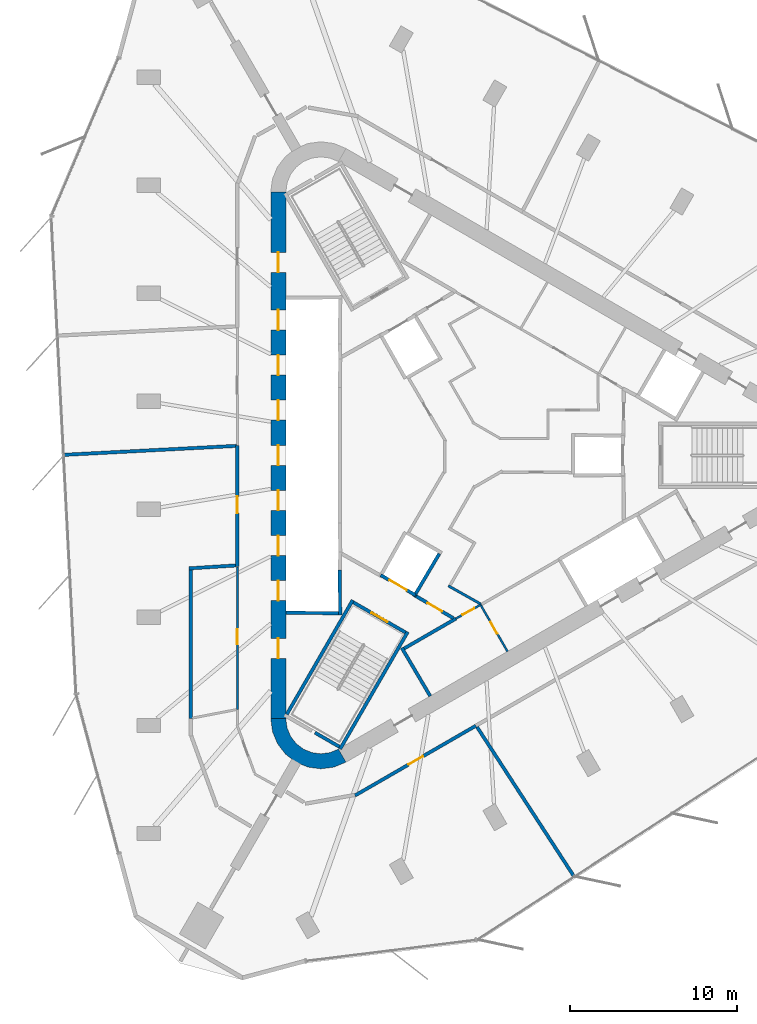
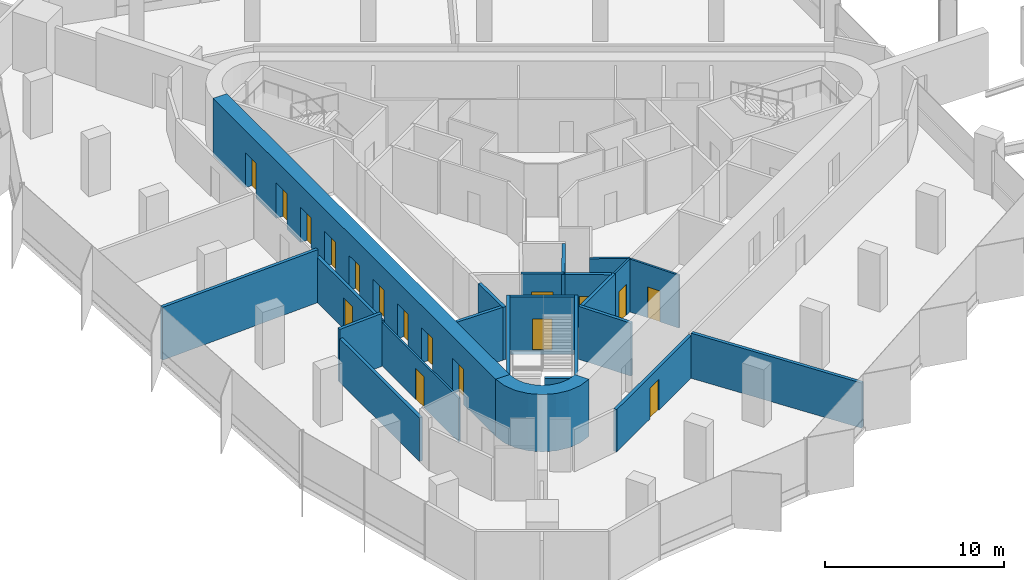
# One storey, part 7 of 12: 23 walls, 17 doors, 17 openings.
"""IFC4 building model written with IfcOpenShell, lengths in metres."""

from ifc_helpers import new_model, si_unit, direction, frame, frame_2d, origin, place, context, subcontext, project, spatial, polyline, rectangle, outline, extrude, material, layer, layer_set, type_object, element, fill, save


model = new_model("IFC4")

# Units and contexts
model_context = context("Model", 3, precision=1e-05, world=origin(), true_north=direction((0.0, 1.0)))
body_context = subcontext(model_context, "Body", "Model", "MODEL_VIEW")
ifc_project = project(units=[si_unit("LENGTHUNIT", "METRE"), si_unit("AREAUNIT", "SQUARE_METRE"), si_unit("VOLUMEUNIT", "CUBIC_METRE"), si_unit("PLANEANGLEUNIT", "RADIAN"), si_unit("MASSUNIT", "GRAM", prefix="KILO")], contexts=[model_context])

# Site, building, storey
site_placement = place(None, origin())
site = spatial("IfcSite", under=ifc_project, at=site_placement, CompositionType="ELEMENT")
building_placement = place(site_placement, origin())
building = spatial("IfcBuilding", under=site, at=building_placement, Name="Tanit Gate Tower", CompositionType="ELEMENT")
storey_placement = place(building_placement, frame((0.0, 0.0, 365.0)))
storey = spatial("IfcBuildingStorey", under=building, at=storey_placement, Name="L83", CompositionType="ELEMENT", Elevation=365.0)

# Wall, openings, doors
ifc_material_1 = material(Name="Concrete C40/50", Category="concrete")
ifc_layer_1 = layer(ifc_material_1, 0.89990234375)
ifc_layer_set_1 = layer_set([ifc_layer_1], Name="CORE WALL 900 C40/50")
wall_type_1 = type_object("IfcWallType", Name="CORE WALL 900 C40/50", PredefinedType="SHEAR", material=ifc_layer_set_1)
wall_1_placement = place(storey_placement, frame((-11.64990234375, 15.76171875, 0.0), z_axis=(0.0, 0.0, 1.0), x_axis=(0.0, -1.0, 0.0)))
wall_1 = element("IfcWall", 1, at=wall_1_placement, inside=storey, type_object=wall_type_1, Name="CORE WALL", PredefinedType="SHEAR", context=body_context, shape_type="SweptSolid", body=[
    extrude(rectangle(XDim=31.5234375, YDim=0.89990234375, at=frame_2d((15.76171875, 0.0))), origin(), (0.0, 0.0, 1.0), 3.89990234375),
])
opening_1_placement = place(wall_1_placement, frame((7.061767578125, 0.0, 0.0)))
opening_1 = element("IfcOpeningElement", 2, at=opening_1_placement, cuts=wall_1, Name="Opening LDHL1-83", PredefinedType="OPENING", context=body_context, shape_type="SweptSolid", body=[
    extrude(rectangle(XDim=1.199951171875, YDim=2.39990234375, at=frame_2d((0.60009765625, 1.199951171875))), frame((0.0, 0.4599609375, 0.0), z_axis=(0.0, -1.0, 0.0), x_axis=(1.0, 0.0, 0.0)), (0.0, 0.0, 1.0), 0.919921875),
])
opening_2_placement = place(wall_1_placement, frame((9.76171875, 0.0, 0.0)))
opening_2 = element("IfcOpeningElement", 3, at=opening_2_placement, cuts=wall_1, Name="Opening LDHL2-83", PredefinedType="OPENING", context=body_context, shape_type="SweptSolid", body=[
    extrude(rectangle(XDim=1.199951171875, YDim=2.39990234375, at=frame_2d((0.60009765625, 1.199951171875))), frame((0.0, 0.4599609375, 0.0), z_axis=(0.0, -1.0, 0.0), x_axis=(1.0, 0.0, 0.0)), (0.0, 0.0, 1.0), 0.919921875),
])
opening_3_placement = place(wall_1_placement, frame((12.461669921875, 0.0, 0.0)))
opening_3 = element("IfcOpeningElement", 4, at=opening_3_placement, cuts=wall_1, Name="Opening LDHL3-83", PredefinedType="OPENING", context=body_context, shape_type="SweptSolid", body=[
    extrude(rectangle(XDim=1.199951171875, YDim=2.39990234375, at=frame_2d((0.60009765625, 1.199951171875))), frame((0.0, 0.4599609375, 0.0), z_axis=(0.0, -1.0, 0.0), x_axis=(1.0, 0.0, 0.0)), (0.0, 0.0, 1.0), 0.919921875),
])
opening_4_placement = place(wall_1_placement, frame((15.16162109375, 0.0, 0.0)))
opening_4 = element("IfcOpeningElement", 5, at=opening_4_placement, cuts=wall_1, Name="Opening LDHL4-83", PredefinedType="OPENING", context=body_context, shape_type="SweptSolid", body=[
    extrude(rectangle(XDim=1.199951171875, YDim=2.39990234375, at=frame_2d((0.60009765625, 1.199951171875))), frame((0.0, 0.4599609375, 0.0), z_axis=(0.0, -1.0, 0.0), x_axis=(1.0, 0.0, 0.0)), (0.0, 0.0, 1.0), 0.919921875),
])
opening_5_placement = place(wall_1_placement, frame((17.86181640625, 0.0, 0.0)))
opening_5 = element("IfcOpeningElement", 6, at=opening_5_placement, cuts=wall_1, Name="Opening LDHL5-83", PredefinedType="OPENING", context=body_context, shape_type="SweptSolid", body=[
    extrude(rectangle(XDim=1.199951171875, YDim=2.39990234375, at=frame_2d((0.60009765625, 1.199951171875))), frame((0.0, 0.4599609375, 0.0), z_axis=(0.0, -1.0, 0.0), x_axis=(1.0, 0.0, 0.0)), (0.0, 0.0, 1.0), 0.919921875),
])
opening_6_placement = place(wall_1_placement, frame((20.561767578125, 0.0, 0.0)))
opening_6 = element("IfcOpeningElement", 7, at=opening_6_placement, cuts=wall_1, Name="Opening LDHL6-83", PredefinedType="OPENING", context=body_context, shape_type="SweptSolid", body=[
    extrude(rectangle(XDim=1.199951171875, YDim=2.39990234375, at=frame_2d((0.60009765625, 1.199951171875))), frame((0.0, 0.4599609375, 0.0), z_axis=(0.0, -1.0, 0.0), x_axis=(1.0, 0.0, 0.0)), (0.0, 0.0, 1.0), 0.919921875),
])
opening_7_placement = place(wall_1_placement, frame((23.26171875, 0.0, 0.0)))
opening_7 = element("IfcOpeningElement", 8, at=opening_7_placement, cuts=wall_1, Name="Opening LDHL7-83", PredefinedType="OPENING", context=body_context, shape_type="SweptSolid", body=[
    extrude(rectangle(XDim=1.199951171875, YDim=2.39990234375, at=frame_2d((0.60009765625, 1.199951171875))), frame((0.0, 0.4599609375, 0.0), z_axis=(0.0, -1.0, 0.0), x_axis=(1.0, 0.0, 0.0)), (0.0, 0.0, 1.0), 0.919921875),
])
opening_8_placement = place(wall_1_placement, frame((3.61181640625, 0.0, 0.0)))
opening_8 = element("IfcOpeningElement", 9, at=opening_8_placement, cuts=wall_1, Name="Opening F12-83-FL2", PredefinedType="OPENING", context=body_context, shape_type="SweptSolid", body=[
    extrude(rectangle(XDim=1.199951171875, YDim=2.39990234375, at=frame_2d((0.60009765625, 1.199951171875))), frame((0.0, 0.4599609375, 0.0), z_axis=(0.0, -1.0, 0.0), x_axis=(1.0, 0.0, 0.0)), (0.0, 0.0, 1.0), 0.919921875),
])
opening_9_placement = place(wall_1_placement, frame((26.711669921875, 0.0, 0.0)))
opening_9 = element("IfcOpeningElement", 10, at=opening_9_placement, cuts=wall_1, Name="Opening F12-83-S3", PredefinedType="OPENING", context=body_context, shape_type="SweptSolid", body=[
    extrude(rectangle(XDim=1.199951171875, YDim=2.39990234375, at=frame_2d((0.60009765625, 1.199951171875))), frame((0.0, 0.4599609375, 0.0), z_axis=(0.0, -1.0, 0.0), x_axis=(1.0, 0.0, 0.0)), (0.0, 0.0, 1.0), 0.919921875),
])
ifc_material_2 = material(Name="Fire-rated steel door leaf", Category="steel")
door_type_1 = type_object("IfcDoorType", Name="INT-DOOR-FIRE-LOBBY-1200", OperationType="NOTDEFINED", PredefinedType="USERDEFINED", material=ifc_material_2)
door_1_placement = place(opening_8_placement, origin())
door_1 = element("IfcDoor", 11, at=door_1_placement, inside=storey, type_object=door_type_1, Name="Door F12-83-FL2", ObjectType="FIRE DOOR", OperationType="SINGLE_SWING_RIGHT", OverallHeight=2.39990234375, OverallWidth=1.199951171875, PredefinedType="USERDEFINED", context=body_context, shape_type="SweptSolid", body=[
    extrude(rectangle(XDim=1.199951171875, YDim=2.39990234375, at=frame_2d((0.60009765625, 1.199951171875))), frame((0.0, 0.02490234375, 0.0), z_axis=(0.0, -1.0, 0.0), x_axis=(1.0, 0.0, 0.0)), (0.0, 0.0, 1.0), 0.050048828125),
])
fill(opening_8, door_1)
door_2_placement = place(opening_9_placement, origin())
door_2 = element("IfcDoor", 12, at=door_2_placement, inside=storey, type_object=door_type_1, Name="Door F12-83-S3", ObjectType="FIRE DOOR", OperationType="SINGLE_SWING_LEFT", OverallHeight=2.39990234375, OverallWidth=1.199951171875, PredefinedType="USERDEFINED", context=body_context, shape_type="SweptSolid", body=[
    extrude(rectangle(XDim=1.199951171875, YDim=2.39990234375, at=frame_2d((0.60009765625, 1.199951171875))), frame((0.0, 0.02490234375, 0.0), z_axis=(0.0, -1.0, 0.0), x_axis=(1.0, 0.0, 0.0)), (0.0, 0.0, 1.0), 0.050048828125),
])
fill(opening_9, door_2)
ifc_material_3 = material(Name="Stainless steel sliding door leaf", Category="steel")
door_type_2 = type_object("IfcDoorType", Name="INT-DOOR-LANDING-1200", OperationType="NOTDEFINED", PredefinedType="USERDEFINED", material=ifc_material_3)
door_3_placement = place(opening_1_placement, origin())
door_3 = element("IfcDoor", 13, at=door_3_placement, inside=storey, type_object=door_type_2, Name="Door LDHL1-83", ObjectType="LANDING DOOR", OperationType="SLIDING_TO_LEFT", OverallHeight=2.39990234375, OverallWidth=1.199951171875, PredefinedType="USERDEFINED", context=body_context, shape_type="SweptSolid", body=[
    extrude(rectangle(XDim=1.199951171875, YDim=2.39990234375, at=frame_2d((0.60009765625, 1.199951171875))), frame((0.0, 0.02490234375, 0.0), z_axis=(0.0, -1.0, 0.0), x_axis=(1.0, 0.0, 0.0)), (0.0, 0.0, 1.0), 0.050048828125),
])
fill(opening_1, door_3)
door_4_placement = place(opening_2_placement, origin())
door_4 = element("IfcDoor", 14, at=door_4_placement, inside=storey, type_object=door_type_2, Name="Door LDHL2-83", ObjectType="LANDING DOOR", OperationType="SLIDING_TO_LEFT", OverallHeight=2.39990234375, OverallWidth=1.199951171875, PredefinedType="USERDEFINED", context=body_context, shape_type="SweptSolid", body=[
    extrude(rectangle(XDim=1.199951171875, YDim=2.39990234375, at=frame_2d((0.60009765625, 1.199951171875))), frame((0.0, 0.02490234375, 0.0), z_axis=(0.0, -1.0, 0.0), x_axis=(1.0, 0.0, 0.0)), (0.0, 0.0, 1.0), 0.050048828125),
])
fill(opening_2, door_4)
door_5_placement = place(opening_3_placement, origin())
door_5 = element("IfcDoor", 15, at=door_5_placement, inside=storey, type_object=door_type_2, Name="Door LDHL3-83", ObjectType="LANDING DOOR", OperationType="SLIDING_TO_LEFT", OverallHeight=2.39990234375, OverallWidth=1.199951171875, PredefinedType="USERDEFINED", context=body_context, shape_type="SweptSolid", body=[
    extrude(rectangle(XDim=1.199951171875, YDim=2.39990234375, at=frame_2d((0.60009765625, 1.199951171875))), frame((0.0, 0.02490234375, 0.0), z_axis=(0.0, -1.0, 0.0), x_axis=(1.0, 0.0, 0.0)), (0.0, 0.0, 1.0), 0.050048828125),
])
fill(opening_3, door_5)
door_6_placement = place(opening_4_placement, origin())
door_6 = element("IfcDoor", 16, at=door_6_placement, inside=storey, type_object=door_type_2, Name="Door LDHL4-83", ObjectType="LANDING DOOR", OperationType="SLIDING_TO_LEFT", OverallHeight=2.39990234375, OverallWidth=1.199951171875, PredefinedType="USERDEFINED", context=body_context, shape_type="SweptSolid", body=[
    extrude(rectangle(XDim=1.199951171875, YDim=2.39990234375, at=frame_2d((0.60009765625, 1.199951171875))), frame((0.0, 0.02490234375, 0.0), z_axis=(0.0, -1.0, 0.0), x_axis=(1.0, 0.0, 0.0)), (0.0, 0.0, 1.0), 0.050048828125),
])
fill(opening_4, door_6)
door_7_placement = place(opening_5_placement, origin())
door_7 = element("IfcDoor", 17, at=door_7_placement, inside=storey, type_object=door_type_2, Name="Door LDHL5-83", ObjectType="LANDING DOOR", OperationType="SLIDING_TO_LEFT", OverallHeight=2.39990234375, OverallWidth=1.199951171875, PredefinedType="USERDEFINED", context=body_context, shape_type="SweptSolid", body=[
    extrude(rectangle(XDim=1.199951171875, YDim=2.39990234375, at=frame_2d((0.60009765625, 1.199951171875))), frame((0.0, 0.02490234375, 0.0), z_axis=(0.0, -1.0, 0.0), x_axis=(1.0, 0.0, 0.0)), (0.0, 0.0, 1.0), 0.050048828125),
])
fill(opening_5, door_7)
door_8_placement = place(opening_6_placement, origin())
door_8 = element("IfcDoor", 18, at=door_8_placement, inside=storey, type_object=door_type_2, Name="Door LDHL6-83", ObjectType="LANDING DOOR", OperationType="SLIDING_TO_LEFT", OverallHeight=2.39990234375, OverallWidth=1.199951171875, PredefinedType="USERDEFINED", context=body_context, shape_type="SweptSolid", body=[
    extrude(rectangle(XDim=1.199951171875, YDim=2.39990234375, at=frame_2d((0.60009765625, 1.199951171875))), frame((0.0, 0.02490234375, 0.0), z_axis=(0.0, -1.0, 0.0), x_axis=(1.0, 0.0, 0.0)), (0.0, 0.0, 1.0), 0.050048828125),
])
fill(opening_6, door_8)
door_9_placement = place(opening_7_placement, origin())
door_9 = element("IfcDoor", 19, at=door_9_placement, inside=storey, type_object=door_type_2, Name="Door LDHL7-83", ObjectType="LANDING DOOR", OperationType="SLIDING_TO_LEFT", OverallHeight=2.39990234375, OverallWidth=1.199951171875, PredefinedType="USERDEFINED", context=body_context, shape_type="SweptSolid", body=[
    extrude(rectangle(XDim=1.199951171875, YDim=2.39990234375, at=frame_2d((0.60009765625, 1.199951171875))), frame((0.0, 0.02490234375, 0.0), z_axis=(0.0, -1.0, 0.0), x_axis=(1.0, 0.0, 0.0)), (0.0, 0.0, 1.0), 0.050048828125),
])
fill(opening_7, door_9)

# Walls
wall_2_placement = place(storey_placement, origin())
element("IfcWall", 20, at=wall_2_placement, inside=storey, type_object=wall_type_1, Name="CORE WALL CORNER", PredefinedType="SHEAR", context=body_context, shape_type="SweptSolid", body=[
    extrude(outline(polyline([(-12.10009765625, -15.76171875), (-11.997802734375, -16.5380859375), (-11.697998046875, -17.26171875), (-11.22119140625, -17.883056640625), (-10.60009765625, -18.359619140625), (-9.87646484375, -18.659423828125), (-9.10009765625, -18.76171875), (-8.323486328125, -18.659423828125), (-7.60009765625, -18.359619140625), (-8.050048828125, -17.580322265625), (-8.556396484375, -17.7900390625), (-9.10009765625, -17.86181640625), (-9.6435546875, -17.7900390625), (-10.14990234375, -17.580322265625), (-10.5849609375, -17.24658203125), (-10.918701171875, -16.811767578125), (-11.12841796875, -16.30517578125), (-11.199951171875, -15.76171875), (-12.10009765625, -15.76171875)])), origin(), (0.0, 0.0, 1.0), 3.89990234375),
])
ifc_material_4 = material(Name="Fire-rated gypsum board partition")
ifc_layer_2 = layer(ifc_material_4, 0.199951171875)
ifc_layer_set_2 = layer_set([ifc_layer_2], Name="INT-WALL-COMPARTMENT")
wall_type_2 = type_object("IfcWallType", Name="INT-WALL-COMPARTMENT", PredefinedType="PARTITIONING", material=ifc_layer_set_2)
wall_3_placement = place(storey_placement, frame((-4.259765625, -11.523681640625, 0.0), z_axis=(0.0, 0.0, 1.0), x_axis=(0.507997497166, -0.861358544901, 0.0)))
element("IfcWall", 21, at=wall_3_placement, inside=storey, type_object=wall_type_2, Name="Wall Compartment W057", PredefinedType="PARTITIONING", context=body_context, shape_type="SweptSolid", body=[
    extrude(rectangle(XDim=3.350341796875, YDim=0.199951171875, at=frame_2d((1.67529296875, 0.0))), origin(), (0.0, 0.0, 1.0), 3.60009765625),
])
wall_4_placement = place(storey_placement, frame((-1.02392578125, -9.77099609375, 0.0), z_axis=(0.0, 0.0, 1.0), x_axis=(-0.866029903013, -0.499992207027, 0.0)))
element("IfcWall", 22, at=wall_4_placement, inside=storey, type_object=wall_type_2, Name="Wall Compartment W058", PredefinedType="PARTITIONING", context=body_context, shape_type="SweptSolid", body=[
    extrude(rectangle(XDim=3.57763671875, YDim=0.199951171875, at=frame_2d((1.788818359375, 0.0))), origin(), (0.0, 0.0, 1.0), 3.60009765625),
])

# Wall, opening, door
wall_5_placement = place(storey_placement, frame((-3.400634765625, -8.43017578125, 0.0), z_axis=(0.0, 0.0, 1.0), x_axis=(0.860630814782, -0.509229418482, 0.0)))
wall_5 = element("IfcWall", 23, at=wall_5_placement, inside=storey, type_object=wall_type_2, Name="Wall Compartment W068", PredefinedType="PARTITIONING", context=body_context, shape_type="SweptSolid", body=[
    extrude(rectangle(XDim=2.581787109375, YDim=0.199951171875, at=frame_2d((1.291015625, 0.0))), origin(), (0.0, 0.0, 1.0), 3.60009765625),
])
opening_10_placement = place(wall_5_placement, frame((0.791015625, 0.0, 0.0)))
opening_10 = element("IfcOpeningElement", 24, at=opening_10_placement, cuts=wall_5, Name="Opening F10-83-08", PredefinedType="OPENING", context=body_context, shape_type="SweptSolid", body=[
    extrude(rectangle(XDim=1.0, YDim=2.10009765625, at=frame_2d((0.5, 1.050048828125))), frame((0.0, 0.10986328125, 0.0), z_axis=(0.0, -1.0, 0.0), x_axis=(1.0, 0.0, 0.0)), (0.0, 0.0, 1.0), 0.219970703125),
])
ifc_material_5 = material(Name="Fire-rated steel door leaf", Category="steel")
door_type_3 = type_object("IfcDoorType", Name="INT-DOOR-FIRE-1000", OperationType="NOTDEFINED", PredefinedType="USERDEFINED", material=ifc_material_5)
door_10_placement = place(opening_10_placement, origin())
door_10 = element("IfcDoor", 25, at=door_10_placement, inside=storey, type_object=door_type_3, Name="Door F10-83-08", ObjectType="FIRE DOOR", OperationType="SINGLE_SWING_RIGHT", OverallHeight=2.10009765625, OverallWidth=1.0, PredefinedType="USERDEFINED", context=body_context, shape_type="SweptSolid", body=[
    extrude(rectangle(XDim=1.0, YDim=2.10009765625, at=frame_2d((0.5, 1.050048828125))), frame((0.0, 0.02490234375, 0.0), z_axis=(0.0, -1.0, 0.0), x_axis=(1.0, 0.0, 0.0)), (0.0, 0.0, 1.0), 0.050048828125),
])
fill(opening_10, door_10)

wall_6_placement = place(storey_placement, frame((-14.10009765625, 0.5908203125, 0.0), z_axis=(0.0, 0.0, 1.0), x_axis=(0.0, -1.0, 0.0)))
wall_6 = element("IfcWall", 26, at=wall_6_placement, inside=storey, type_object=wall_type_2, Name="Wall Compartment W091", PredefinedType="PARTITIONING", context=body_context, shape_type="SweptSolid", body=[
    extrude(rectangle(XDim=7.235107421875, YDim=0.199951171875, at=frame_2d((3.61767578125, 0.0))), origin(), (0.0, 0.0, 1.0), 3.070068359375),
])
opening_11_placement = place(wall_6_placement, frame((3.05419921875, 0.0, 0.0)))
opening_11 = element("IfcOpeningElement", 27, at=opening_11_placement, cuts=wall_6, Name="Opening F10-83-21", PredefinedType="OPENING", context=body_context, shape_type="SweptSolid", body=[
    extrude(rectangle(XDim=1.0, YDim=2.10009765625, at=frame_2d((0.5, 1.050048828125))), frame((0.0, 0.10986328125, 0.0), z_axis=(0.0, -1.0, 0.0), x_axis=(1.0, 0.0, 0.0)), (0.0, 0.0, 1.0), 0.219970703125),
])
door_11_placement = place(opening_11_placement, origin())
door_11 = element("IfcDoor", 28, at=door_11_placement, inside=storey, type_object=door_type_3, Name="Door F10-83-21", ObjectType="FIRE DOOR", OperationType="SINGLE_SWING_RIGHT", OverallHeight=2.10009765625, OverallWidth=1.0, PredefinedType="USERDEFINED", context=body_context, shape_type="SweptSolid", body=[
    extrude(rectangle(XDim=1.0, YDim=2.10009765625, at=frame_2d((0.5, 1.050048828125))), frame((0.0, 0.02490234375, 0.0), z_axis=(0.0, -1.0, 0.0), x_axis=(1.0, 0.0, 0.0)), (0.0, 0.0, 1.0), 0.050048828125),
])
fill(opening_11, door_11)

# Walls
wall_7_placement = place(storey_placement, frame((-14.159912109375, 0.56494140625, 0.0), z_axis=(0.0, 0.0, 1.0), x_axis=(-0.998655139757, -0.051845075341, 0.0)))
element("IfcWall", 29, at=wall_7_placement, inside=storey, type_object=wall_type_2, Name="Wall Compartment W099", PredefinedType="PARTITIONING", context=body_context, shape_type="SweptSolid", body=[
    extrude(rectangle(XDim=10.341064453125, YDim=0.199951171875, at=frame_2d((5.17041015625, 0.0))), origin(), (0.0, 0.0, 1.0), 3.60009765625),
])
wall_8_placement = place(storey_placement, frame((-14.199951171875, -6.590576171875, 0.0), z_axis=(0.0, 0.0, 1.0), x_axis=(-0.99804272427, -0.062535754024, 0.0)))
element("IfcWall", 30, at=wall_8_placement, inside=storey, type_object=wall_type_2, Name="Wall Compartment W100", PredefinedType="PARTITIONING", context=body_context, shape_type="SweptSolid", body=[
    extrude(rectangle(XDim=2.799072265625, YDim=0.199951171875, at=frame_2d((1.3994140625, 0.0))), origin(), (0.0, 0.0, 1.0), 3.60009765625),
])
wall_9_placement = place(storey_placement, frame((-16.89990234375, -15.75390625, 0.0), z_axis=(0.0, 0.0, 1.0), x_axis=(0.0, 1.0, 0.0)))
element("IfcWall", 31, at=wall_9_placement, inside=storey, type_object=wall_type_2, Name="Wall Compartment W101", PredefinedType="PARTITIONING", context=body_context, shape_type="SweptSolid", body=[
    extrude(rectangle(XDim=8.89404296875, YDim=0.199951171875, at=frame_2d((4.447021484375, 0.0))), origin(), (0.0, 0.0, 1.0), 2.969970703125),
])

# Wall, opening, door
wall_10_placement = place(storey_placement, frame((-7.060791015625, -20.35791015625, 0.0), z_axis=(0.0, 0.0, 1.0), x_axis=(0.866022416349, 0.500005174355, 0.0)))
wall_10 = element("IfcWall", 32, at=wall_10_placement, inside=storey, type_object=wall_type_2, Name="Wall Compartment W115", PredefinedType="PARTITIONING", context=body_context, shape_type="SweptSolid", body=[
    extrude(rectangle(XDim=8.34716796875, YDim=0.199951171875, at=frame_2d((4.173583984375, 0.0))), origin(), (0.0, 0.0, 1.0), 2.8798828125),
])
opening_12_placement = place(wall_10_placement, frame((3.699951171875, 0.0, 0.0)))
opening_12 = element("IfcOpeningElement", 33, at=opening_12_placement, cuts=wall_10, Name="Opening F10-83-26", PredefinedType="OPENING", context=body_context, shape_type="SweptSolid", body=[
    extrude(rectangle(XDim=1.0, YDim=2.10009765625, at=frame_2d((0.5, 1.050048828125))), frame((0.0, 0.10986328125, 0.0), z_axis=(0.0, -1.0, 0.0), x_axis=(1.0, 0.0, 0.0)), (0.0, 0.0, 1.0), 0.219970703125),
])
door_12_placement = place(opening_12_placement, origin())
door_12 = element("IfcDoor", 34, at=door_12_placement, inside=storey, type_object=door_type_3, Name="Door F10-83-26", ObjectType="FIRE DOOR", OperationType="SINGLE_SWING_RIGHT", OverallHeight=2.10009765625, OverallWidth=1.0, PredefinedType="USERDEFINED", context=body_context, shape_type="SweptSolid", body=[
    extrude(rectangle(XDim=1.0, YDim=2.10009765625, at=frame_2d((0.5, 1.050048828125))), frame((0.0, 0.02490234375, 0.0), z_axis=(0.0, -1.0, 0.0), x_axis=(1.0, 0.0, 0.0)), (0.0, 0.0, 1.0), 0.050048828125),
])
fill(opening_12, door_12)

# Wall
wall_11_placement = place(storey_placement, frame((0.2421875, -16.2568359375, 0.0), z_axis=(0.0, 0.0, 1.0), x_axis=(0.544245883111, -0.838925752803, 0.0)))
element("IfcWall", 35, at=wall_11_placement, inside=storey, type_object=wall_type_2, Name="Wall Compartment W121", PredefinedType="PARTITIONING", context=body_context, shape_type="SweptSolid", body=[
    extrude(rectangle(XDim=10.6826171875, YDim=0.199951171875, at=frame_2d((5.34130859375, 0.0))), origin(), (0.0, 0.0, 1.0), 3.070068359375),
])

# Wall, opening, door
ifc_material_6 = material(Name="Gypsum board partition")
ifc_layer_3 = layer(ifc_material_6, 0.1201171875)
ifc_layer_set_3 = layer_set([ifc_layer_3], Name="INT-WALL-PARTITION")
wall_type_3 = type_object("IfcWallType", Name="INT-WALL-PARTITION", PredefinedType="PARTITIONING", material=ifc_layer_set_3)
wall_12_placement = place(storey_placement, frame((2.066650390625, -11.739501953125, 0.0), z_axis=(0.0, 0.0, 1.0), x_axis=(-0.499984717929, 0.866034226713, 0.0)))
wall_12 = element("IfcWall", 36, at=wall_12_placement, inside=storey, type_object=wall_type_3, Name="Wall Partition W056", PredefinedType="PARTITIONING", context=body_context, shape_type="SweptSolid", body=[
    extrude(rectangle(XDim=3.25, YDim=0.1201171875, at=frame_2d((1.625, 0.0))), origin(), (0.0, 0.0, 1.0), 3.60009765625),
])
opening_13_placement = place(wall_12_placement, frame((1.22509765625, 0.0, 0.0)))
opening_13 = element("IfcOpeningElement", 37, at=opening_13_placement, cuts=wall_12, Name="Opening R08-83-17", PredefinedType="OPENING", context=body_context, shape_type="SweptSolid", body=[
    extrude(rectangle(XDim=0.800048828125, YDim=2.10009765625, at=frame_2d((0.39990234375, 1.050048828125))), frame((0.0, 0.070068359375, 0.0), z_axis=(0.0, -1.0, 0.0), x_axis=(1.0, 0.0, 0.0)), (0.0, 0.0, 1.0), 0.14013671875),
])
ifc_material_7 = material(Name="Timber door leaf", Category="wood")
door_type_4 = type_object("IfcDoorType", Name="INT-DOOR-RISER-800", OperationType="NOTDEFINED", PredefinedType="USERDEFINED", material=ifc_material_7)
door_13_placement = place(opening_13_placement, origin())
door_13 = element("IfcDoor", 38, at=door_13_placement, inside=storey, type_object=door_type_4, Name="Door R08-83-17", ObjectType="FIRE DOOR", OperationType="SINGLE_SWING_RIGHT", OverallHeight=2.10009765625, OverallWidth=0.800048828125, PredefinedType="USERDEFINED", context=body_context, shape_type="SweptSolid", body=[
    extrude(rectangle(XDim=0.800048828125, YDim=2.10009765625, at=frame_2d((0.39990234375, 1.050048828125))), frame((0.0, 0.02490234375, 0.0), z_axis=(0.0, -1.0, 0.0), x_axis=(1.0, 0.0, 0.0)), (0.0, 0.0, 1.0), 0.050048828125),
])
fill(opening_13, door_13)

wall_13_placement = place(storey_placement, frame((0.478271484375, -8.928466796875, 0.0), z_axis=(0.0, 0.0, 1.0), x_axis=(-0.871968924608, -0.489561226527, 0.0)))
wall_13 = element("IfcWall", 39, at=wall_13_placement, inside=storey, type_object=wall_type_3, Name="Wall Partition W059", PredefinedType="PARTITIONING", context=body_context, shape_type="SweptSolid", body=[
    extrude(rectangle(XDim=1.722412109375, YDim=0.1201171875, at=frame_2d((0.861328125, 0.0))), origin(), (0.0, 0.0, 1.0), 3.60009765625),
])
opening_14_placement = place(wall_13_placement, frame((0.461181640625, 0.0, 0.0)))
opening_14 = element("IfcOpeningElement", 40, at=opening_14_placement, cuts=wall_13, Name="Opening R08-83-16", PredefinedType="OPENING", context=body_context, shape_type="SweptSolid", body=[
    extrude(rectangle(XDim=0.800048828125, YDim=2.10009765625, at=frame_2d((0.39990234375, 1.050048828125))), frame((0.0, 0.070068359375, 0.0), z_axis=(0.0, -1.0, 0.0), x_axis=(1.0, 0.0, 0.0)), (0.0, 0.0, 1.0), 0.14013671875),
])
door_14_placement = place(opening_14_placement, origin())
door_14 = element("IfcDoor", 41, at=door_14_placement, inside=storey, type_object=door_type_4, Name="Door R08-83-16", ObjectType="FIRE DOOR", OperationType="SINGLE_SWING_RIGHT", OverallHeight=2.10009765625, OverallWidth=0.800048828125, PredefinedType="USERDEFINED", context=body_context, shape_type="SweptSolid", body=[
    extrude(rectangle(XDim=0.800048828125, YDim=2.10009765625, at=frame_2d((0.39990234375, 1.050048828125))), frame((0.0, 0.02490234375, 0.0), z_axis=(0.0, -1.0, 0.0), x_axis=(1.0, 0.0, 0.0)), (0.0, 0.0, 1.0), 0.050048828125),
])
fill(opening_14, door_14)

wall_14_placement = place(storey_placement, frame((-14.10009765625, -6.6845703125, 0.0), z_axis=(0.0, 0.0, 1.0), x_axis=(0.0, -1.0, 0.0)))
wall_14 = element("IfcWall", 42, at=wall_14_placement, inside=storey, type_object=wall_type_3, Name="Wall Partition W092", PredefinedType="PARTITIONING", context=body_context, shape_type="SweptSolid", body=[
    extrude(rectangle(XDim=8.513916015625, YDim=0.1201171875, at=frame_2d((4.2568359375, 0.0))), origin(), (0.0, 0.0, 1.0), 2.969970703125),
])
opening_15_placement = place(wall_14_placement, frame((3.731201171875, 0.0, 0.0)))
opening_15 = element("IfcOpeningElement", 43, at=opening_15_placement, cuts=wall_14, Name="Opening D09-83-22", PredefinedType="OPENING", context=body_context, shape_type="SweptSolid", body=[
    extrude(rectangle(XDim=0.89990234375, YDim=2.10009765625, at=frame_2d((0.449951171875, 1.050048828125))), frame((0.0, 0.070068359375, 0.0), z_axis=(0.0, -1.0, 0.0), x_axis=(1.0, 0.0, 0.0)), (0.0, 0.0, 1.0), 0.14013671875),
])
ifc_material_8 = material(Name="Timber door leaf", Category="wood")
door_type_5 = type_object("IfcDoorType", Name="INT-DOOR-SINGLE-900", OperationType="NOTDEFINED", PredefinedType="NOTDEFINED", material=ifc_material_8)
door_15_placement = place(opening_15_placement, origin())
door_15 = element("IfcDoor", 44, at=door_15_placement, inside=storey, type_object=door_type_5, Name="Door D09-83-22", OperationType="SINGLE_SWING_LEFT", OverallHeight=2.10009765625, OverallWidth=0.89990234375, PredefinedType="NOTDEFINED", context=body_context, shape_type="SweptSolid", body=[
    extrude(rectangle(XDim=0.89990234375, YDim=2.10009765625, at=frame_2d((0.449951171875, 1.050048828125))), frame((0.0, 0.02490234375, 0.0), z_axis=(0.0, -1.0, 0.0), x_axis=(1.0, 0.0, 0.0)), (0.0, 0.0, 1.0), 0.050048828125),
])
fill(opening_15, door_15)

# Walls
ifc_material_9 = material(Name="Fire-rated gypsum board partition")
ifc_layer_4 = layer(ifc_material_9, 0.14990234375)
ifc_layer_set_4 = layer_set([ifc_layer_4], Name="INT-WALL-RISER")
wall_type_4 = type_object("IfcWallType", Name="INT-WALL-RISER", PredefinedType="PLUMBINGWALL", material=ifc_layer_set_4)
wall_15_placement = place(storey_placement, frame((-1.47705078125, -7.808349609375, 0.0), z_axis=(0.0, 0.0, 1.0), x_axis=(0.871822901869, -0.48982122022, 0.0)))
element("IfcWall", 45, at=wall_15_placement, inside=storey, type_object=wall_type_4, Name="Wall Riser W072", PredefinedType="PLUMBINGWALL", context=body_context, shape_type="SweptSolid", body=[
    extrude(rectangle(XDim=2.239501953125, YDim=0.14990234375, at=frame_2d((1.11962890625, 0.0))), origin(), (0.0, 0.0, 1.0), 3.60009765625),
])
ifc_material_10 = material(Name="Gypsum shaft wall system")
ifc_layer_5 = layer(ifc_material_10, 0.199951171875)
ifc_layer_set_5 = layer_set([ifc_layer_5], Name="INT-WALL-SHAFT")
wall_type_5 = type_object("IfcWallType", Name="INT-WALL-SHAFT", PredefinedType="PLUMBINGWALL", material=ifc_layer_set_5)
wall_16_placement = place(storey_placement, frame((-7.97900390625, -6.85009765625, 0.0), z_axis=(0.0, 0.0, 1.0), x_axis=(0.011121475088, -0.999938154483, 0.0)))
element("IfcWall", 46, at=wall_16_placement, inside=storey, type_object=wall_type_5, Name="Wall Shaft W010", PredefinedType="PLUMBINGWALL", context=body_context, shape_type="SweptSolid", body=[
    extrude(rectangle(XDim=2.7001953125, YDim=0.199951171875, at=frame_2d((1.35009765625, 0.0))), origin(), (0.0, 0.0, 1.0), 3.60009765625),
])
wall_17_placement = place(storey_placement, frame((-8.050048828125, -9.448974609375, 0.0), z_axis=(0.0, 0.0, 1.0), x_axis=(-0.999957467379, 0.009222983926, 0.0)))
element("IfcWall", 47, at=wall_17_placement, inside=storey, type_object=wall_type_5, Name="Wall Shaft W011", PredefinedType="PLUMBINGWALL", context=body_context, shape_type="SweptSolid", body=[
    extrude(rectangle(XDim=3.150146484375, YDim=0.199951171875, at=frame_2d((1.5751953125, 0.0))), origin(), (0.0, 0.0, 1.0), 3.60009765625),
])

# Wall, opening, door
wall_18_placement = place(storey_placement, frame((-3.44580078125, -8.3681640625, 0.0), z_axis=(0.0, 0.0, 1.0), x_axis=(-0.866024647952, 0.500001309137, 0.0)))
wall_18 = element("IfcWall", 48, at=wall_18_placement, inside=storey, type_object=wall_type_5, Name="Wall Shaft W043", PredefinedType="PLUMBINGWALL", context=body_context, shape_type="SweptSolid", body=[
    extrude(rectangle(XDim=2.39990234375, YDim=0.199951171875, at=frame_2d((1.199951171875, 0.0))), origin(), (0.0, 0.0, 1.0), 3.60009765625),
])
opening_16_placement = place(wall_18_placement, frame((0.60009765625, 0.0, 0.0)))
opening_16 = element("IfcOpeningElement", 49, at=opening_16_placement, cuts=wall_18, Name="Opening LDFL3-L83", PredefinedType="OPENING", context=body_context, shape_type="SweptSolid", body=[
    extrude(rectangle(XDim=1.199951171875, YDim=2.39990234375, at=frame_2d((0.60009765625, 1.199951171875))), frame((0.0, 0.10986328125, 0.0), z_axis=(0.0, -1.0, 0.0), x_axis=(1.0, 0.0, 0.0)), (0.0, 0.0, 1.0), 0.219970703125),
])
door_16_placement = place(opening_16_placement, origin())
door_16 = element("IfcDoor", 50, at=door_16_placement, inside=storey, type_object=door_type_2, Name="Door LDFL3-L83", ObjectType="LANDING DOOR", OperationType="SLIDING_TO_LEFT", OverallHeight=2.39990234375, OverallWidth=1.199951171875, PredefinedType="USERDEFINED", context=body_context, shape_type="SweptSolid", body=[
    extrude(rectangle(XDim=1.199951171875, YDim=2.39990234375, at=frame_2d((0.60009765625, 1.199951171875))), frame((0.0, 0.02490234375, 0.0), z_axis=(0.0, -1.0, 0.0), x_axis=(1.0, 0.0, 0.0)), (0.0, 0.0, 1.0), 0.050048828125),
])
fill(opening_16, door_16)

# Walls
wall_19_placement = place(storey_placement, frame((-2.01171875, -5.88232421875, 0.0), z_axis=(0.0, 0.0, 1.0), x_axis=(-0.508619639323, -0.860991325447, 0.0)))
element("IfcWall", 51, at=wall_19_placement, inside=storey, type_object=wall_type_5, Name="Wall Shaft W046", PredefinedType="PLUMBINGWALL", context=body_context, shape_type="SweptSolid", body=[
    extrude(rectangle(XDim=3.0, YDim=0.199951171875, at=frame_2d((1.5, 0.0))), origin(), (0.0, 0.0, 1.0), 3.60009765625),
])
ifc_material_11 = material(Name="Concrete C40/50", Category="concrete")
ifc_layer_6 = layer(ifc_material_11, 0.199951171875)
ifc_layer_set_6 = layer_set([ifc_layer_6], Name="INT-WALL-STAIR")
wall_type_6 = type_object("IfcWallType", Name="INT-WALL-STAIR", PredefinedType="SHEAR", material=ifc_layer_set_6)
wall_20_placement = place(storey_placement, frame((-3.904541015625, -10.56298828125, -0.300048828125), z_axis=(0.0, 0.0, 1.0), x_axis=(-0.500012932018, -0.866017937352, 0.0)))
element("IfcWall", 52, at=wall_20_placement, inside=storey, type_object=wall_type_6, Name="Wall Stair W038", PredefinedType="SHEAR", context=body_context, shape_type="SweptSolid", body=[
    extrude(rectangle(XDim=8.099853515625, YDim=0.199951171875, at=frame_2d((4.0498046875, 0.0))), origin(), (0.0, 0.0, 1.0), 3.900146484375),
])
wall_21_placement = place(storey_placement, frame((-9.454833984375, -16.59619140625, -0.300048828125), z_axis=(0.0, 0.0, 1.0), x_axis=(0.866038843867, -0.499976720371, 0.0)))
element("IfcWall", 53, at=wall_21_placement, inside=storey, type_object=wall_type_6, Name="Wall Stair W039", PredefinedType="SHEAR", context=body_context, shape_type="SweptSolid", body=[
    extrude(rectangle(XDim=1.68994140625, YDim=0.199951171875, at=frame_2d((0.844970703125, 0.0))), origin(), (0.0, 0.0, 1.0), 3.900146484375),
])
wall_22_placement = place(storey_placement, frame((-7.195556640625, -8.662841796875, -0.300048828125), z_axis=(0.0, 0.0, 1.0), x_axis=(-0.499997992926, -0.866026562566, 0.0)))
element("IfcWall", 54, at=wall_22_placement, inside=storey, type_object=wall_type_6, Name="Wall Stair W041", PredefinedType="SHEAR", context=body_context, shape_type="SweptSolid", body=[
    extrude(rectangle(XDim=7.89990234375, YDim=0.199951171875, at=frame_2d((3.949951171875, 0.0))), origin(), (0.0, 0.0, 1.0), 3.900146484375),
])

# Wall, opening, door
wall_23_placement = place(storey_placement, frame((-4.041259765625, -10.599365234375, -0.300048828125), z_axis=(0.0, 0.0, 1.0), x_axis=(-0.866047807691, 0.499961193289, 0.0)))
wall_23 = element("IfcWall", 55, at=wall_23_placement, inside=storey, type_object=wall_type_6, Name="Wall Stair W042", PredefinedType="SHEAR", context=body_context, shape_type="SweptSolid", body=[
    extrude(rectangle(XDim=3.599853515625, YDim=0.199951171875, at=frame_2d((1.7998046875, 0.0))), origin(), (0.0, 0.0, 1.0), 3.900146484375),
])
opening_17_placement = place(wall_23_placement, frame((1.25, 0.0, 0.300048828125)))
opening_17 = element("IfcOpeningElement", 56, at=opening_17_placement, cuts=wall_23, Name="Opening S11-83-07", PredefinedType="OPENING", context=body_context, shape_type="SweptSolid", body=[
    extrude(rectangle(XDim=1.10009765625, YDim=2.10009765625, at=frame_2d((0.550048828125, 1.050048828125))), frame((0.0, 0.10986328125, 0.0), z_axis=(0.0, -1.0, 0.0), x_axis=(1.0, 0.0, 0.0)), (0.0, 0.0, 1.0), 0.219970703125),
])
ifc_material_12 = material(Name="Timber door leaf", Category="wood")
door_type_6 = type_object("IfcDoorType", Name="INT-DOOR-STAIR-1100", OperationType="NOTDEFINED", PredefinedType="USERDEFINED", material=ifc_material_12)
door_17_placement = place(opening_17_placement, origin())
door_17 = element("IfcDoor", 57, at=door_17_placement, inside=storey, type_object=door_type_6, Name="Door S11-83-07", ObjectType="FIRE DOOR", OperationType="SINGLE_SWING_RIGHT", OverallHeight=2.10009765625, OverallWidth=1.10009765625, PredefinedType="USERDEFINED", context=body_context, shape_type="SweptSolid", body=[
    extrude(rectangle(XDim=1.10009765625, YDim=2.10009765625, at=frame_2d((0.550048828125, 1.050048828125))), frame((0.0, 0.02490234375, 0.0), z_axis=(0.0, -1.0, 0.0), x_axis=(1.0, 0.0, 0.0)), (0.0, 0.0, 1.0), 0.050048828125),
])
fill(opening_17, door_17)

save(model, "model.ifc")
